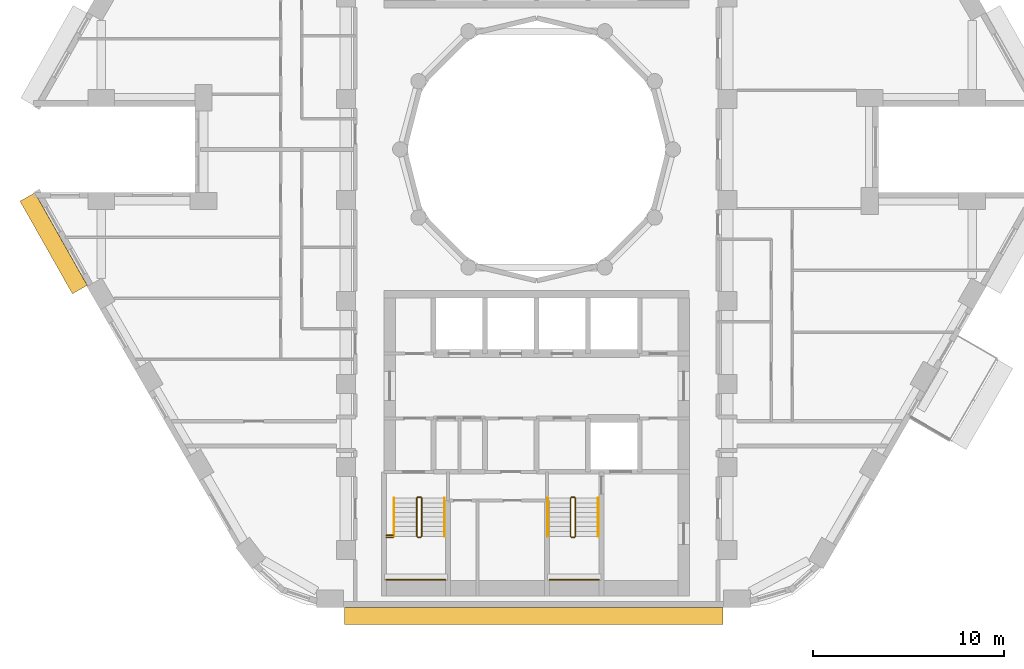
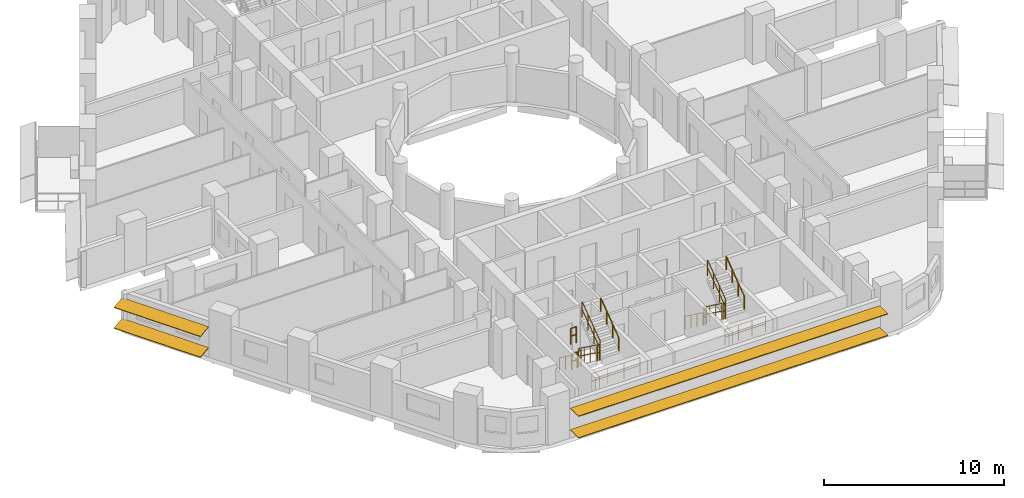
# One storey, part 12 of 14: 16 railings, 4 shading devices.
"""IFC4 building model written with IfcOpenShell, lengths in metres."""

from ifc_helpers import new_model, si_unit, direction, frame, origin, origin_2d, place, context, subcontext, project, spatial, rectangle, circle, extrude, material, material_profile, profile_set, type_object, element, save


model = new_model("IFC4")

# Units and contexts
model_context = context("Model", 3, precision=1e-05, world=origin(), true_north=direction((0.0, 1.0)))
body_context = subcontext(model_context, "Body", "Model", "MODEL_VIEW")
ifc_project = project(units=[si_unit("LENGTHUNIT", "METRE"), si_unit("AREAUNIT", "SQUARE_METRE"), si_unit("VOLUMEUNIT", "CUBIC_METRE"), si_unit("PLANEANGLEUNIT", "RADIAN"), si_unit("MASSUNIT", "GRAM", prefix="KILO")], contexts=[model_context])

# Site, building, storey
site_placement = place(None, origin())
site = spatial("IfcSite", under=ifc_project, at=site_placement, CompositionType="ELEMENT")
building_placement = place(site_placement, origin())
building = spatial("IfcBuilding", under=site, at=building_placement, Name="Nakaniwa Court", CompositionType="ELEMENT")
storey_placement = place(building_placement, frame((0.0, 0.0, 107.39990234375)))
storey = spatial("IfcBuildingStorey", under=building, at=storey_placement, Name="L28", CompositionType="ELEMENT", Elevation=107.39990234375)

# Shading devices
ifc_material_1 = material(Name="Perforated charcoal ceramic louvre blade")
ifc_material_profile = material_profile(ifc_material_1, rectangle(XDim=0.89990234375, YDim=0.050048828125, at=origin_2d()), Name="Perforated ceramic louvre blade")
ifc_profile_set = profile_set([ifc_material_profile], Name="Perforated charcoal ceramic louvre blade")
shading_device_type = type_object("IfcShadingDeviceType", Name="Perforated ceramic louvre blade", PredefinedType="JALOUSIE", material=ifc_profile_set)
for number, where, z_axis, x_axis, name in (
    (1, (53.31689453125, 77.508056640625, 0.550048828125), (0.492438058427, -0.870347493024, 0.0), (0.862701960504, 0.488112256124, 0.132256390257), "L28 perforated ceramic louvre blade w20 1"),
    (2, (53.31689453125, 77.508056640625, 1.955810546875), (0.492438058427, -0.870347493024, 0.0), (0.862701960504, 0.488112256124, 0.132256390257), "L28 perforated ceramic louvre blade w20 2"),
):
    element("IfcShadingDevice", number, at=place(storey_placement, frame(where, z_axis=z_axis, x_axis=x_axis)), inside=storey, type_object=shading_device_type, Name=name, PredefinedType="JALOUSIE", context=body_context, shape_type="SweptSolid", body=[
        extrude(rectangle(XDim=0.89990234375, YDim=0.050048828125, at=origin_2d()), origin(), (0.0, 0.0, 1.0), 5.576416015625),
    ])
for number, where, z_axis, x_axis, name in (
    (3, (69.92138671875, 55.550048828125, 0.550048828125), (1.0, 0.0, 0.0), (0.0, 1.0, 0.0), "L28 perforated ceramic louvre blade w26 1"),
    (4, (69.92138671875, 55.550048828125, 2.01513671875), (1.0, 0.0, 0.0), (0.0, 1.0, 0.0), "L28 perforated ceramic louvre blade w26 2"),
):
    element("IfcShadingDevice", number, at=place(storey_placement, frame(where, z_axis=z_axis, x_axis=x_axis)), inside=storey, type_object=shading_device_type, Name=name, PredefinedType="JALOUSIE", context=body_context, shape_type="SweptSolid", body=[
        extrude(rectangle(XDim=0.89990234375, YDim=0.050048828125, at=origin_2d()), origin(), (0.0, 0.0, 1.0), 19.839599609375),
    ])

# Railings
ifc_material_2 = material(Name="Black powder coated steel guard", Category="steel")
railing_type_1 = type_object("IfcRailingType", Name="Stair guard 1100", PredefinedType="GUARDRAIL", material=ifc_material_2)
railing_1_placement = place(storey_placement, frame((73.72509765625, 61.72509765625, 0.183349609375)))
element("IfcRailing", 5, at=railing_1_placement, inside=storey, type_object=railing_type_1, Name="L28 ST3 stair guard 1", PredefinedType="GUARDRAIL", context=body_context, shape_type="SweptSolid", body=[
    extrude(circle(Radius=0.02392578125, at=origin_2d()), frame((0.0, 0.0, 1.076171875), z_axis=(0.0, -0.806379959628, 0.591397802423), x_axis=(1.0, 0.0, 0.0)), (0.0, 0.0, 1.0), 2.480224609375),
    extrude(circle(Radius=0.02392578125, at=origin_2d()), frame((0.0, 0.0, 0.550048828125), z_axis=(0.0, -0.806379959628, 0.591397802423), x_axis=(1.0, 0.0, 0.0)), (0.0, 0.0, 1.0), 2.480224609375),
    extrude(circle(Radius=0.02099609375, at=origin_2d()), origin(), (0.0, 0.0, 1.0), 1.052001953125),
    extrude(circle(Radius=0.02099609375, at=origin_2d()), frame((0.0, -0.666748046875, 0.489013671875)), (0.0, 0.0, 1.0), 1.052001953125),
    extrude(circle(Radius=0.02099609375, at=origin_2d()), frame((0.0, -1.333251953125, 0.977783203125)), (0.0, 0.0, 1.0), 1.052001953125),
    extrude(circle(Radius=0.02099609375, at=origin_2d()), frame((0.0, -2.0, 1.466796875)), (0.0, 0.0, 1.0), 1.052001953125),
])
railing_2_placement = place(storey_placement, frame((73.77490234375, 59.675048828125, 1.650146484375)))
element("IfcRailing", 6, at=railing_2_placement, inside=storey, type_object=railing_type_1, Name="L28 ST3 stair guard 2", PredefinedType="GUARDRAIL", context=body_context, shape_type="SweptSolid", body=[
    extrude(circle(Radius=0.02392578125, at=origin_2d()), frame((0.0, 0.0, 1.076171875), z_axis=(1.0, 0.0, 0.0), x_axis=(0.0, 1.0, 0.0)), (0.0, 0.0, 1.0), 0.150146484375),
    extrude(circle(Radius=0.02392578125, at=origin_2d()), frame((0.0, 0.0, 0.550048828125), z_axis=(1.0, 0.0, 0.0), x_axis=(0.0, 1.0, 0.0)), (0.0, 0.0, 1.0), 0.150146484375),
    extrude(circle(Radius=0.02099609375, at=origin_2d()), origin(), (0.0, 0.0, 1.0), 1.052001953125),
    extrude(circle(Radius=0.02099609375, at=origin_2d()), frame((0.150146484375, 0.0, 0.0)), (0.0, 0.0, 1.0), 1.052001953125),
])
railing_3_placement = place(storey_placement, frame((73.97509765625, 59.72509765625, 1.83349609375)))
element("IfcRailing", 7, at=railing_3_placement, inside=storey, type_object=railing_type_1, Name="L28 ST3 stair guard 3", PredefinedType="GUARDRAIL", context=body_context, shape_type="SweptSolid", body=[
    extrude(circle(Radius=0.02392578125, at=origin_2d()), frame((0.0, 0.0, 1.076171875), z_axis=(0.0, 0.806426902644, 0.591333789573), x_axis=(-1.0, 0.0, 0.0)), (0.0, 0.0, 1.0), 2.47998046875),
    extrude(circle(Radius=0.02392578125, at=origin_2d()), frame((0.0, 0.0, 0.550048828125), z_axis=(0.0, 0.806426902644, 0.591333789573), x_axis=(-1.0, 0.0, 0.0)), (0.0, 0.0, 1.0), 2.47998046875),
    extrude(circle(Radius=0.02099609375, at=origin_2d()), origin(), (0.0, 0.0, 1.0), 1.052001953125),
    extrude(circle(Radius=0.02099609375, at=origin_2d()), frame((0.0, 0.666748046875, 0.48876953125)), (0.0, 0.0, 1.0), 1.052001953125),
    extrude(circle(Radius=0.02099609375, at=origin_2d()), frame((0.0, 1.333251953125, 0.977783203125)), (0.0, 0.0, 1.0), 1.052001953125),
    extrude(circle(Radius=0.02099609375, at=origin_2d()), frame((0.0, 2.0, 1.466552734375)), (0.0, 0.0, 1.0), 1.052001953125),
])
railing_4_placement = place(storey_placement, frame((73.77490234375, 61.77490234375, 0.0)))
element("IfcRailing", 8, at=railing_4_placement, inside=storey, type_object=railing_type_1, Name="L28 ST3 stair guard 4", PredefinedType="GUARDRAIL", context=body_context, shape_type="SweptSolid", body=[
    extrude(circle(Radius=0.02392578125, at=origin_2d()), frame((0.0, 0.0, 1.076171875), z_axis=(1.0, 0.0, 0.0), x_axis=(0.0, 1.0, 0.0)), (0.0, 0.0, 1.0), 0.150146484375),
    extrude(circle(Radius=0.02392578125, at=origin_2d()), frame((0.0, 0.0, 0.550048828125), z_axis=(1.0, 0.0, 0.0), x_axis=(0.0, 1.0, 0.0)), (0.0, 0.0, 1.0), 0.150146484375),
    extrude(circle(Radius=0.02099609375, at=origin_2d()), origin(), (0.0, 0.0, 1.0), 1.052001953125),
    extrude(circle(Radius=0.02099609375, at=origin_2d()), frame((0.150146484375, 0.0, 0.0)), (0.0, 0.0, 1.0), 1.052001953125),
])
railing_5_placement = place(storey_placement, frame((72.125, 57.449951171875, 1.650146484375)))
element("IfcRailing", 9, at=railing_5_placement, inside=storey, type_object=railing_type_1, Name="L28 ST3 landing end guard 1", PredefinedType="GUARDRAIL", context=body_context, shape_type="SweptSolid", body=[
    extrude(circle(Radius=0.02392578125, at=origin_2d()), frame((0.0, 0.0, 1.076171875), z_axis=(1.0, 0.0, 0.0), x_axis=(0.0, 1.0, 0.0)), (0.0, 0.0, 1.0), 3.10009765625),
    extrude(circle(Radius=0.02392578125, at=origin_2d()), frame((0.0, 0.0, 0.550048828125), z_axis=(1.0, 0.0, 0.0), x_axis=(0.0, 1.0, 0.0)), (0.0, 0.0, 1.0), 3.10009765625),
    extrude(circle(Radius=0.02099609375, at=origin_2d()), origin(), (0.0, 0.0, 1.0), 1.052001953125),
    extrude(circle(Radius=0.02099609375, at=origin_2d()), frame((1.033447265625, 0.0, 0.0)), (0.0, 0.0, 1.0), 1.052001953125),
    extrude(circle(Radius=0.02099609375, at=origin_2d()), frame((2.066650390625, 0.0, 0.0)), (0.0, 0.0, 1.0), 1.052001953125),
    extrude(circle(Radius=0.02099609375, at=origin_2d()), frame((3.10009765625, 0.0, 0.0)), (0.0, 0.0, 1.0), 1.052001953125),
])
for number, where, name in (
    (10, (72.125, 59.675048828125, 1.650146484375), "L28 ST3 landing side guard 1W"),
    (11, (72.125, 59.77490234375, 3.300048828125), "L28 ST3 floor edge guard 1W"),
):
    element("IfcRailing", number, at=place(storey_placement, frame(where)), inside=storey, type_object=railing_type_1, Name=name, PredefinedType="GUARDRAIL", context=body_context, shape_type="SweptSolid", body=[
        extrude(circle(Radius=0.02392578125, at=origin_2d()), frame((0.0, 0.0, 1.076171875), z_axis=(1.0, 0.0, 0.0), x_axis=(0.0, 1.0, 0.0)), (0.0, 0.0, 1.0), 0.35009765625),
        extrude(circle(Radius=0.02392578125, at=origin_2d()), frame((0.0, 0.0, 0.550048828125), z_axis=(1.0, 0.0, 0.0), x_axis=(0.0, 1.0, 0.0)), (0.0, 0.0, 1.0), 0.35009765625),
        extrude(circle(Radius=0.02099609375, at=origin_2d()), origin(), (0.0, 0.0, 1.0), 1.052001953125),
        extrude(circle(Radius=0.02099609375, at=origin_2d()), frame((0.35009765625, 0.0, 0.0)), (0.0, 0.0, 1.0), 1.052001953125),
    ])
railing_6_placement = place(storey_placement, frame((81.77490234375, 61.72509765625, 0.183349609375)))
element("IfcRailing", 12, at=railing_6_placement, inside=storey, type_object=railing_type_1, Name="L28 ST4 stair guard 1", PredefinedType="GUARDRAIL", context=body_context, shape_type="SweptSolid", body=[
    extrude(circle(Radius=0.02392578125, at=origin_2d()), frame((0.0, 0.0, 1.076171875), z_axis=(0.0, -0.806379959628, 0.591397802423), x_axis=(1.0, 0.0, 0.0)), (0.0, 0.0, 1.0), 2.480224609375),
    extrude(circle(Radius=0.02392578125, at=origin_2d()), frame((0.0, 0.0, 0.550048828125), z_axis=(0.0, -0.806379959628, 0.591397802423), x_axis=(1.0, 0.0, 0.0)), (0.0, 0.0, 1.0), 2.480224609375),
    extrude(circle(Radius=0.02099609375, at=origin_2d()), origin(), (0.0, 0.0, 1.0), 1.052001953125),
    extrude(circle(Radius=0.02099609375, at=origin_2d()), frame((0.0, -0.666748046875, 0.489013671875)), (0.0, 0.0, 1.0), 1.052001953125),
    extrude(circle(Radius=0.02099609375, at=origin_2d()), frame((0.0, -1.333251953125, 0.977783203125)), (0.0, 0.0, 1.0), 1.052001953125),
    extrude(circle(Radius=0.02099609375, at=origin_2d()), frame((0.0, -2.0, 1.466796875)), (0.0, 0.0, 1.0), 1.052001953125),
])
railing_7_placement = place(storey_placement, frame((81.824951171875, 59.675048828125, 1.650146484375)))
element("IfcRailing", 13, at=railing_7_placement, inside=storey, type_object=railing_type_1, Name="L28 ST4 stair guard 2", PredefinedType="GUARDRAIL", context=body_context, shape_type="SweptSolid", body=[
    extrude(circle(Radius=0.02392578125, at=origin_2d()), frame((0.0, 0.0, 1.076171875), z_axis=(1.0, 0.0, 0.0), x_axis=(0.0, 1.0, 0.0)), (0.0, 0.0, 1.0), 0.150146484375),
    extrude(circle(Radius=0.02392578125, at=origin_2d()), frame((0.0, 0.0, 0.550048828125), z_axis=(1.0, 0.0, 0.0), x_axis=(0.0, 1.0, 0.0)), (0.0, 0.0, 1.0), 0.150146484375),
    extrude(circle(Radius=0.02099609375, at=origin_2d()), origin(), (0.0, 0.0, 1.0), 1.052001953125),
    extrude(circle(Radius=0.02099609375, at=origin_2d()), frame((0.150146484375, 0.0, 0.0)), (0.0, 0.0, 1.0), 1.052001953125),
])
railing_8_placement = place(storey_placement, frame((82.02490234375, 59.72509765625, 1.83349609375)))
element("IfcRailing", 14, at=railing_8_placement, inside=storey, type_object=railing_type_1, Name="L28 ST4 stair guard 3", PredefinedType="GUARDRAIL", context=body_context, shape_type="SweptSolid", body=[
    extrude(circle(Radius=0.02392578125, at=origin_2d()), frame((0.0, 0.0, 1.076171875), z_axis=(0.0, 0.806426902644, 0.591333789573), x_axis=(-1.0, 0.0, 0.0)), (0.0, 0.0, 1.0), 2.47998046875),
    extrude(circle(Radius=0.02392578125, at=origin_2d()), frame((0.0, 0.0, 0.550048828125), z_axis=(0.0, 0.806426902644, 0.591333789573), x_axis=(-1.0, 0.0, 0.0)), (0.0, 0.0, 1.0), 2.47998046875),
    extrude(circle(Radius=0.02099609375, at=origin_2d()), origin(), (0.0, 0.0, 1.0), 1.052001953125),
    extrude(circle(Radius=0.02099609375, at=origin_2d()), frame((0.0, 0.666748046875, 0.48876953125)), (0.0, 0.0, 1.0), 1.052001953125),
    extrude(circle(Radius=0.02099609375, at=origin_2d()), frame((0.0, 1.333251953125, 0.977783203125)), (0.0, 0.0, 1.0), 1.052001953125),
    extrude(circle(Radius=0.02099609375, at=origin_2d()), frame((0.0, 2.0, 1.466552734375)), (0.0, 0.0, 1.0), 1.052001953125),
])
railing_9_placement = place(storey_placement, frame((81.824951171875, 61.77490234375, 0.0)))
element("IfcRailing", 15, at=railing_9_placement, inside=storey, type_object=railing_type_1, Name="L28 ST4 stair guard 4", PredefinedType="GUARDRAIL", context=body_context, shape_type="SweptSolid", body=[
    extrude(circle(Radius=0.02392578125, at=origin_2d()), frame((0.0, 0.0, 1.076171875), z_axis=(1.0, 0.0, 0.0), x_axis=(0.0, 1.0, 0.0)), (0.0, 0.0, 1.0), 0.150146484375),
    extrude(circle(Radius=0.02392578125, at=origin_2d()), frame((0.0, 0.0, 0.550048828125), z_axis=(1.0, 0.0, 0.0), x_axis=(0.0, 1.0, 0.0)), (0.0, 0.0, 1.0), 0.150146484375),
    extrude(circle(Radius=0.02099609375, at=origin_2d()), origin(), (0.0, 0.0, 1.0), 1.052001953125),
    extrude(circle(Radius=0.02099609375, at=origin_2d()), frame((0.150146484375, 0.0, 0.0)), (0.0, 0.0, 1.0), 1.052001953125),
])
railing_10_placement = place(storey_placement, frame((80.675048828125, 57.449951171875, 1.650146484375)))
element("IfcRailing", 16, at=railing_10_placement, inside=storey, type_object=railing_type_1, Name="L28 ST4 landing end guard 1", PredefinedType="GUARDRAIL", context=body_context, shape_type="SweptSolid", body=[
    extrude(circle(Radius=0.02392578125, at=origin_2d()), frame((0.0, 0.0, 1.076171875), z_axis=(1.0, 0.0, 0.0), x_axis=(0.0, 1.0, 0.0)), (0.0, 0.0, 1.0), 2.599853515625),
    extrude(circle(Radius=0.02392578125, at=origin_2d()), frame((0.0, 0.0, 0.550048828125), z_axis=(1.0, 0.0, 0.0), x_axis=(0.0, 1.0, 0.0)), (0.0, 0.0, 1.0), 2.599853515625),
    extrude(circle(Radius=0.02099609375, at=origin_2d()), origin(), (0.0, 0.0, 1.0), 1.052001953125),
    extrude(circle(Radius=0.02099609375, at=origin_2d()), frame((0.86669921875, 0.0, 0.0)), (0.0, 0.0, 1.0), 1.052001953125),
    extrude(circle(Radius=0.02099609375, at=origin_2d()), frame((1.733154296875, 0.0, 0.0)), (0.0, 0.0, 1.0), 1.052001953125),
    extrude(circle(Radius=0.02099609375, at=origin_2d()), frame((2.599853515625, 0.0, 0.0)), (0.0, 0.0, 1.0), 1.052001953125),
])
ifc_material_3 = material(Name="Black powder coated steel handrail", Category="steel")
railing_type_2 = type_object("IfcRailingType", Name="Stair handrail 900", PredefinedType="HANDRAIL", material=ifc_material_3)
railing_11_placement = place(storey_placement, frame((72.52490234375, 61.72509765625, 0.183349609375)))
element("IfcRailing", 17, at=railing_11_placement, inside=storey, type_object=railing_type_2, Name="L28 ST3 stair handrail 1", PredefinedType="HANDRAIL", context=body_context, shape_type="SweptSolid", body=[
    extrude(circle(Radius=0.02392578125, at=origin_2d()), frame((0.0, 0.0, 0.8759765625), z_axis=(0.0, -0.806379959628, 0.591397802423), x_axis=(1.0, 0.0, 0.0)), (0.0, 0.0, 1.0), 2.480224609375),
    extrude(circle(Radius=0.02099609375, at=origin_2d()), origin(), (0.0, 0.0, 1.0), 0.851806640625),
    extrude(circle(Radius=0.02099609375, at=origin_2d()), frame((0.0, -0.666748046875, 0.489013671875)), (0.0, 0.0, 1.0), 0.851806640625),
    extrude(circle(Radius=0.02099609375, at=origin_2d()), frame((0.0, -1.333251953125, 0.977783203125)), (0.0, 0.0, 1.0), 0.851806640625),
    extrude(circle(Radius=0.02099609375, at=origin_2d()), frame((0.0, -2.0, 1.466796875)), (0.0, 0.0, 1.0), 0.851806640625),
])
railing_12_placement = place(storey_placement, frame((75.175048828125, 59.72509765625, 1.83349609375)))
element("IfcRailing", 18, at=railing_12_placement, inside=storey, type_object=railing_type_2, Name="L28 ST3 stair handrail 2", PredefinedType="HANDRAIL", context=body_context, shape_type="SweptSolid", body=[
    extrude(circle(Radius=0.02392578125, at=origin_2d()), frame((0.0, 0.0, 0.8759765625), z_axis=(0.0, 0.806426902644, 0.591333789573), x_axis=(-1.0, 0.0, 0.0)), (0.0, 0.0, 1.0), 2.47998046875),
    extrude(circle(Radius=0.02099609375, at=origin_2d()), origin(), (0.0, 0.0, 1.0), 0.851806640625),
    extrude(circle(Radius=0.02099609375, at=origin_2d()), frame((0.0, 0.666748046875, 0.48876953125)), (0.0, 0.0, 1.0), 0.851806640625),
    extrude(circle(Radius=0.02099609375, at=origin_2d()), frame((0.0, 1.333251953125, 0.977783203125)), (0.0, 0.0, 1.0), 0.851806640625),
    extrude(circle(Radius=0.02099609375, at=origin_2d()), frame((0.0, 2.0, 1.466552734375)), (0.0, 0.0, 1.0), 0.851806640625),
])
railing_13_placement = place(storey_placement, frame((80.574951171875, 61.72509765625, 0.183349609375)))
element("IfcRailing", 19, at=railing_13_placement, inside=storey, type_object=railing_type_2, Name="L28 ST4 stair handrail 1", PredefinedType="HANDRAIL", context=body_context, shape_type="SweptSolid", body=[
    extrude(circle(Radius=0.02392578125, at=origin_2d()), frame((0.0, 0.0, 0.8759765625), z_axis=(0.0, -0.806379959628, 0.591397802423), x_axis=(1.0, 0.0, 0.0)), (0.0, 0.0, 1.0), 2.480224609375),
    extrude(circle(Radius=0.02099609375, at=origin_2d()), origin(), (0.0, 0.0, 1.0), 0.851806640625),
    extrude(circle(Radius=0.02099609375, at=origin_2d()), frame((0.0, -0.666748046875, 0.489013671875)), (0.0, 0.0, 1.0), 0.851806640625),
    extrude(circle(Radius=0.02099609375, at=origin_2d()), frame((0.0, -1.333251953125, 0.977783203125)), (0.0, 0.0, 1.0), 0.851806640625),
    extrude(circle(Radius=0.02099609375, at=origin_2d()), frame((0.0, -2.0, 1.466796875)), (0.0, 0.0, 1.0), 0.851806640625),
])
railing_14_placement = place(storey_placement, frame((83.22509765625, 59.72509765625, 1.83349609375)))
element("IfcRailing", 20, at=railing_14_placement, inside=storey, type_object=railing_type_2, Name="L28 ST4 stair handrail 2", PredefinedType="HANDRAIL", context=body_context, shape_type="SweptSolid", body=[
    extrude(circle(Radius=0.02392578125, at=origin_2d()), frame((0.0, 0.0, 0.8759765625), z_axis=(0.0, 0.806426902644, 0.591333789573), x_axis=(-1.0, 0.0, 0.0)), (0.0, 0.0, 1.0), 2.47998046875),
    extrude(circle(Radius=0.02099609375, at=origin_2d()), origin(), (0.0, 0.0, 1.0), 0.851806640625),
    extrude(circle(Radius=0.02099609375, at=origin_2d()), frame((0.0, 0.666748046875, 0.48876953125)), (0.0, 0.0, 1.0), 0.851806640625),
    extrude(circle(Radius=0.02099609375, at=origin_2d()), frame((0.0, 1.333251953125, 0.977783203125)), (0.0, 0.0, 1.0), 0.851806640625),
    extrude(circle(Radius=0.02099609375, at=origin_2d()), frame((0.0, 2.0, 1.466552734375)), (0.0, 0.0, 1.0), 0.851806640625),
])

save(model, "model.ifc")
